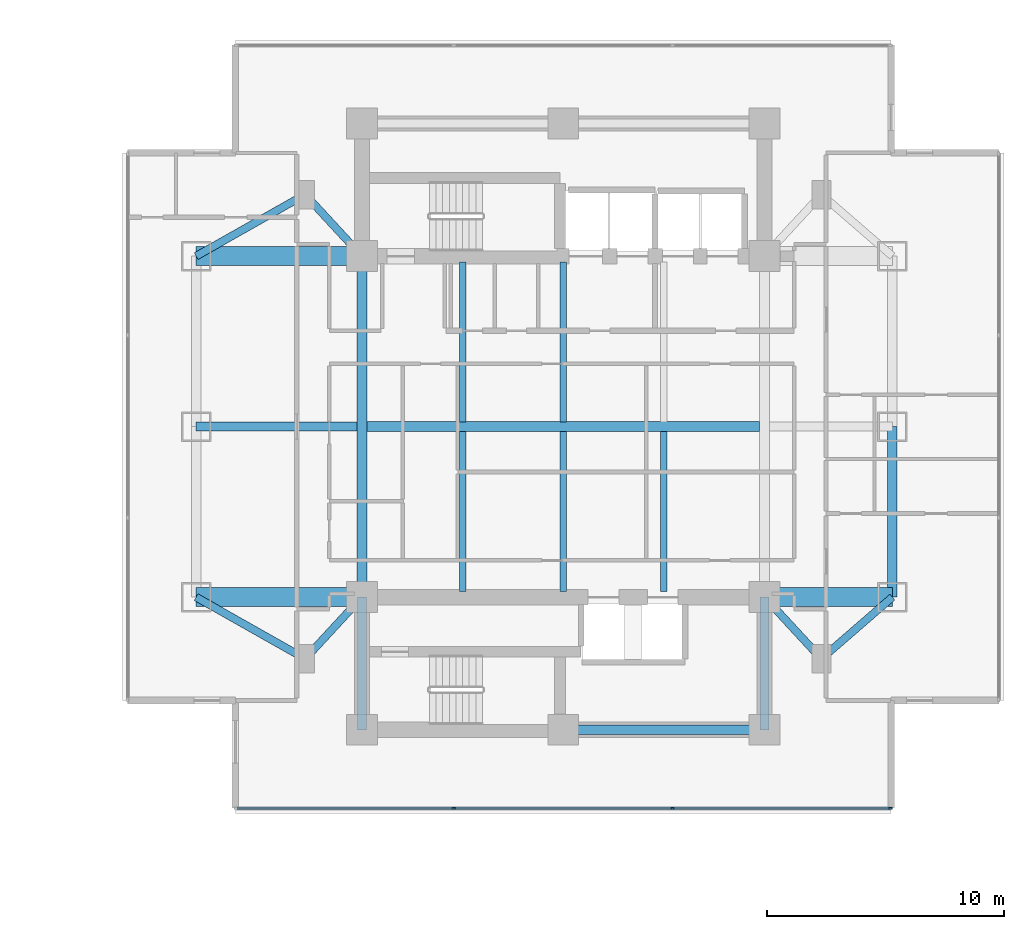
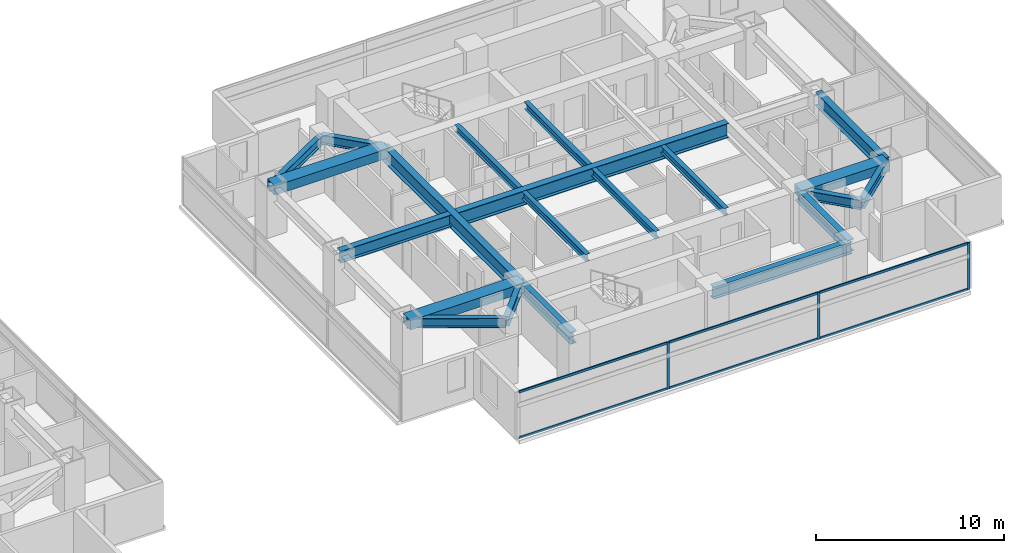
# One storey, part 9 of 24: 21 beams, 9 members, 1 element without a shape of its own.
"""IFC4 building model written with IfcOpenShell, lengths in metres."""

from ifc_helpers import new_model, si_unit, direction, frame, origin, origin_2d, place, context, subcontext, project, spatial, rectangle, i_section, extrude, material, material_profile, profile_set, type_object, element, aggregate, save


model = new_model("IFC4")

# Units and contexts
model_context = context("Model", 3, precision=1e-05, world=origin(), true_north=direction((0.0, 1.0)))
body_context = subcontext(model_context, "Body", "Model", "MODEL_VIEW")
ifc_project = project(units=[si_unit("LENGTHUNIT", "METRE"), si_unit("AREAUNIT", "SQUARE_METRE"), si_unit("VOLUMEUNIT", "CUBIC_METRE"), si_unit("PLANEANGLEUNIT", "RADIAN"), si_unit("MASSUNIT", "GRAM", prefix="KILO")], contexts=[model_context])

# Site, building, storey
site_placement = place(None, origin())
site = spatial("IfcSite", under=ifc_project, at=site_placement, CompositionType="ELEMENT")
building_placement = place(site_placement, origin())
building = spatial("IfcBuilding", under=site, at=building_placement, Name="Mirazonda Arch Towers", CompositionType="ELEMENT")
storey_placement = place(building_placement, frame((0.0, 0.0, 65.300048828125)))
storey = spatial("IfcBuildingStorey", under=building, at=storey_placement, Name="L18", CompositionType="ELEMENT", Elevation=65.300048828125)

# Beams
ifc_material_1 = material(Name="Steel ASTM A992 Grade 50", Category="steel")
ifc_material_profile_1 = material_profile(ifc_material_1, i_section(OverallWidth=0.39990234375, OverallDepth=0.85595703125, WebThickness=0.018310546875, FlangeThickness=0.029296875, at=origin_2d()), Name="W33X201")
ifc_profile_set_1 = profile_set([ifc_material_profile_1], Name="Steel ASTM A992 Grade 50")
beam_type_1 = type_object("IfcBeamType", Name="BM-EXT-W33X201", PredefinedType="USERDEFINED", material=ifc_profile_set_1)
beam_1_placement = place(storey_placement, frame((90.39990234375, 20.800048828125, 2.6318359375), z_axis=(0.0, 1.0, 0.0), x_axis=(-1.0, 0.0, 0.0)))
element("IfcBeam", 1, at=beam_1_placement, inside=storey, type_object=beam_type_1, Name="L18 Floor Beam BM-T2-L18-NS-E-20", ObjectType="GIRDER", PredefinedType="USERDEFINED", context=body_context, shape_type="SweptSolid", body=[
    extrude(i_section(OverallWidth=0.39990234375, OverallDepth=0.85595703125, WebThickness=0.018310546875, FlangeThickness=0.029296875, at=origin_2d()), origin(), (0.0, 0.0, 1.0), 7.199951171875),
])
ifc_material_profile_2 = material_profile(ifc_material_1, i_section(OverallWidth=0.280029296875, OverallDepth=0.462890625, WebThickness=0.0107421875, FlangeThickness=0.017333984375, at=origin_2d()), Name="W18X76")
ifc_profile_set_2 = profile_set([ifc_material_profile_2], Name="Steel ASTM A992 Grade 50")
beam_type_2 = type_object("IfcBeamType", Name="BM-INT-W18X76", PredefinedType="JOIST", material=ifc_profile_set_2)
for number, where, z_axis, x_axis, name in (
    (2, (72.25, 21.0400390625, 2.828369140625), (0.0, 1.0, 0.0), (-1.0, 0.0, 0.0), "L18 Floor Beam BM-T2-L18-J-722-20"),
    (3, (72.25, 28.205078125, 2.828369140625), (0.0, 1.0, 0.0), (-1.0, 0.0, 0.0), "L18 Floor Beam BM-T2-L18-J-722-28"),
    (4, (76.5, 21.0400390625, 2.828369140625), (0.0, 1.0, 0.0), (-1.0, 0.0, 0.0), "L18 Floor Beam BM-T2-L18-J-765-20"),
    (5, (76.5, 28.205078125, 2.828369140625), (0.0, 1.0, 0.0), (-1.0, 0.0, 0.0), "L18 Floor Beam BM-T2-L18-J-765-28"),
    (6, (80.75, 21.0400390625, 2.828369140625), (0.0, 1.0, 0.0), (-1.0, 0.0, 0.0), "L18 Floor Beam BM-T2-L18-J-807-20"),
):
    element("IfcBeam", number, at=place(storey_placement, frame(where, z_axis=z_axis, x_axis=x_axis)), inside=storey, type_object=beam_type_2, Name=name, PredefinedType="JOIST", context=body_context, shape_type="SweptSolid", body=[
        extrude(i_section(OverallWidth=0.280029296875, OverallDepth=0.462890625, WebThickness=0.0107421875, FlangeThickness=0.017333984375, at=origin_2d()), origin(), (0.0, 0.0, 1.0), 6.7548828125),
    ])
ifc_material_profile_3 = material_profile(ifc_material_1, i_section(OverallWidth=0.324951171875, OverallDepth=0.615966796875, WebThickness=0.013916015625, FlangeThickness=0.021484375, at=origin_2d()), Name="W24X117")
ifc_profile_set_3 = profile_set([ifc_material_profile_3], Name="Steel ASTM A992 Grade 50")
beam_type_3 = type_object("IfcBeamType", Name="BM-INT-W24X117", PredefinedType="BEAM", material=ifc_profile_set_3)
beam_2_placement = place(storey_placement, frame((65.60009765625, 18.199951171875, 2.751953125), z_axis=(0.678251444854, 0.734829897019, 0.0), x_axis=(-0.734829897019, 0.678251444854, 0.0)))
element("IfcBeam", 7, at=beam_2_placement, inside=storey, type_object=beam_type_3, Name="L18 Floor Beam BM-T2-L18-PL-SW1", PredefinedType="BEAM", context=body_context, shape_type="SweptSolid", body=[
    extrude(i_section(OverallWidth=0.324951171875, OverallDepth=0.615966796875, WebThickness=0.013916015625, FlangeThickness=0.021484375, at=origin_2d()), origin(), (0.0, 0.0, 1.0), 3.538330078125),
])
beam_3_placement = place(storey_placement, frame((65.60009765625, 18.199951171875, 2.751953125), z_axis=(-0.870559396632, 0.492063346467, 0.0), x_axis=(-0.492063346467, -0.870559396632, 0.0)))
element("IfcBeam", 8, at=beam_3_placement, inside=storey, type_object=beam_type_3, Name="L18 Floor Beam BM-T2-L18-PL-SW2", PredefinedType="BEAM", context=body_context, shape_type="SweptSolid", body=[
    extrude(i_section(OverallWidth=0.324951171875, OverallDepth=0.615966796875, WebThickness=0.013916015625, FlangeThickness=0.021484375, at=origin_2d()), origin(), (0.0, 0.0, 1.0), 5.2841796875),
])
beam_4_placement = place(storey_placement, frame((87.39990234375, 18.199951171875, 2.751953125), z_axis=(-0.678251444854, 0.734829897019, 0.0), x_axis=(-0.734829897019, -0.678251444854, 0.0)))
element("IfcBeam", 9, at=beam_4_placement, inside=storey, type_object=beam_type_3, Name="L18 Floor Beam BM-T2-L18-PL-SE1", PredefinedType="BEAM", context=body_context, shape_type="SweptSolid", body=[
    extrude(i_section(OverallWidth=0.324951171875, OverallDepth=0.615966796875, WebThickness=0.013916015625, FlangeThickness=0.021484375, at=origin_2d()), origin(), (0.0, 0.0, 1.0), 3.538330078125),
])
beam_5_placement = place(storey_placement, frame((87.39990234375, 18.199951171875, 2.751953125), z_axis=(0.755676908098, 0.654944585876, 0.0), x_axis=(-0.654944585876, 0.755676908098, 0.0)))
element("IfcBeam", 10, at=beam_5_placement, inside=storey, type_object=beam_type_3, Name="L18 Floor Beam BM-T2-L18-PL-SE2", PredefinedType="BEAM", context=body_context, shape_type="SweptSolid", body=[
    extrude(i_section(OverallWidth=0.324951171875, OverallDepth=0.615966796875, WebThickness=0.013916015625, FlangeThickness=0.021484375, at=origin_2d()), origin(), (0.0, 0.0, 1.0), 3.969970703125),
])
beam_6_placement = place(storey_placement, frame((65.60009765625, 37.800048828125, 2.751953125), z_axis=(0.678251444854, -0.734829897019, 0.0), x_axis=(0.734829897019, 0.678251444854, 0.0)))
element("IfcBeam", 11, at=beam_6_placement, inside=storey, type_object=beam_type_3, Name="L18 Floor Beam BM-T2-L18-PL-NW1", PredefinedType="BEAM", context=body_context, shape_type="SweptSolid", body=[
    extrude(i_section(OverallWidth=0.324951171875, OverallDepth=0.615966796875, WebThickness=0.013916015625, FlangeThickness=0.021484375, at=origin_2d()), origin(), (0.0, 0.0, 1.0), 3.538330078125),
])
beam_7_placement = place(storey_placement, frame((65.60009765625, 37.800048828125, 2.751953125), z_axis=(-0.870559396632, -0.492063346467, 0.0), x_axis=(0.492063346467, -0.870559396632, 0.0)))
element("IfcBeam", 12, at=beam_7_placement, inside=storey, type_object=beam_type_3, Name="L18 Floor Beam BM-T2-L18-PL-NW2", PredefinedType="BEAM", context=body_context, shape_type="SweptSolid", body=[
    extrude(i_section(OverallWidth=0.324951171875, OverallDepth=0.615966796875, WebThickness=0.013916015625, FlangeThickness=0.021484375, at=origin_2d()), origin(), (0.0, 0.0, 1.0), 5.2841796875),
])
ifc_material_profile_4 = material_profile(ifc_material_1, i_section(OverallWidth=0.381103515625, OverallDepth=0.77294921875, WebThickness=0.0166015625, FlangeThickness=0.027099609375, at=origin_2d()), Name="W30X173")
ifc_profile_set_4 = profile_set([ifc_material_profile_4], Name="Steel ASTM A992 Grade 50")
beam_type_4 = type_object("IfcBeamType", Name="BM-INT-W30X173", PredefinedType="USERDEFINED", material=ifc_profile_set_4)
beam_8_placement = place(storey_placement, frame((76.5, 15.199951171875, 2.67333984375), z_axis=(1.0, 0.0, 0.0), x_axis=(0.0, 1.0, 0.0)))
element("IfcBeam", 13, at=beam_8_placement, inside=storey, type_object=beam_type_4, Name="L18 Floor Beam BM-T2-L18-CS2", ObjectType="GIRDER", PredefinedType="USERDEFINED", context=body_context, shape_type="SweptSolid", body=[
    extrude(i_section(OverallWidth=0.381103515625, OverallDepth=0.77294921875, WebThickness=0.0166015625, FlangeThickness=0.027099609375, at=origin_2d()), origin(), (0.0, 0.0, 1.0), 8.5),
])
for number, where, z_axis, x_axis, name in (
    (14, (68.0, 15.199951171875, 2.67333984375), (0.0, 1.0, 0.0), (-1.0, 0.0, 0.0), "L18 Floor Beam BM-T2-L18-CSW"),
    (15, (85.0, 15.199951171875, 2.67333984375), (0.0, 1.0, 0.0), (-1.0, 0.0, 0.0), "L18 Floor Beam BM-T2-L18-CSE"),
):
    element("IfcBeam", number, at=place(storey_placement, frame(where, z_axis=z_axis, x_axis=x_axis)), inside=storey, type_object=beam_type_4, Name=name, ObjectType="GIRDER", PredefinedType="USERDEFINED", context=body_context, shape_type="SweptSolid", body=[
        extrude(i_section(OverallWidth=0.381103515625, OverallDepth=0.77294921875, WebThickness=0.0166015625, FlangeThickness=0.027099609375, at=origin_2d()), origin(), (0.0, 0.0, 1.0), 5.60009765625),
    ])
beam_9_placement = place(storey_placement, frame((61.0, 28.0, 2.67333984375), z_axis=(1.0, 0.0, 0.0), x_axis=(0.0, 1.0, 0.0)))
element("IfcBeam", 16, at=beam_9_placement, inside=storey, type_object=beam_type_4, Name="L18 Floor Beam BM-T2-L18-GW2", ObjectType="GIRDER", PredefinedType="USERDEFINED", context=body_context, shape_type="SweptSolid", body=[
    extrude(i_section(OverallWidth=0.381103515625, OverallDepth=0.77294921875, WebThickness=0.0166015625, FlangeThickness=0.027099609375, at=origin_2d()), origin(), (0.0, 0.0, 1.0), 6.791015625),
])
ifc_material_profile_5 = material_profile(ifc_material_1, i_section(OverallWidth=0.41796875, OverallDepth=0.927001953125, WebThickness=0.019287109375, FlangeThickness=0.031982421875, at=origin_2d()), Name="W36X231")
ifc_profile_set_5 = profile_set([ifc_material_profile_5], Name="Steel ASTM A992 Grade 50")
beam_type_5 = type_object("IfcBeamType", Name="BM-INT-W36X231", PredefinedType="USERDEFINED", material=ifc_profile_set_5)
beam_10_placement = place(storey_placement, frame((68.208984375, 28.0, 2.596435546875), z_axis=(1.0, 0.0, 0.0), x_axis=(0.0, 1.0, 0.0)))
element("IfcBeam", 17, at=beam_10_placement, inside=storey, type_object=beam_type_5, Name="L18 Floor Beam BM-T2-L18-GC2", ObjectType="GIRDER", PredefinedType="USERDEFINED", context=body_context, shape_type="SweptSolid", body=[
    extrude(i_section(OverallWidth=0.41796875, OverallDepth=0.927001953125, WebThickness=0.019287109375, FlangeThickness=0.031982421875, at=origin_2d()), origin(), (0.0, 0.0, 1.0), 16.58203125),
])
beam_11_placement = place(storey_placement, frame((68.0, 20.800048828125, 2.596435546875), z_axis=(0.0, 1.0, 0.0), x_axis=(-1.0, 0.0, 0.0)))
element("IfcBeam", 18, at=beam_11_placement, inside=storey, type_object=beam_type_5, Name="L18 Floor Beam BM-T2-L18-NS-CW-FULL", ObjectType="GIRDER", PredefinedType="USERDEFINED", context=body_context, shape_type="SweptSolid", body=[
    extrude(i_section(OverallWidth=0.41796875, OverallDepth=0.927001953125, WebThickness=0.019287109375, FlangeThickness=0.031982421875, at=origin_2d()), origin(), (0.0, 0.0, 1.0), 14.39990234375),
])
ifc_material_2 = material(Name="Concrete C60/75", Category="concrete")
ifc_material_profile_6 = material_profile(ifc_material_2, rectangle(XDim=0.800048828125, YDim=0.60009765625, at=origin_2d()), Name="RCCB800x600")
ifc_profile_set_6 = profile_set([ifc_material_profile_6], Name="Concrete C60/75")
beam_type_6 = type_object("IfcBeamType", Name="CB-INT-RCCB800x600", PredefinedType="SPANDREL", material=ifc_profile_set_6)
for number, where, z_axis, x_axis, name in (
    (19, (61.0, 35.199951171875, 2.760009765625), (1.0, 0.0, 0.0), (0.0, 1.0, 0.0), "L18 Floor Beam CBC-T2-L18-NW"),
    (20, (61.0, 20.800048828125, 2.760009765625), (1.0, 0.0, 0.0), (0.0, 1.0, 0.0), "L18 Floor Beam CBC-T2-L18-SW"),
):
    element("IfcBeam", number, at=place(storey_placement, frame(where, z_axis=z_axis, x_axis=x_axis)), inside=storey, type_object=beam_type_6, Name=name, PredefinedType="SPANDREL", context=body_context, shape_type="SweptSolid", body=[
        extrude(rectangle(XDim=0.800048828125, YDim=0.60009765625, at=origin_2d()), origin(), (0.0, 0.0, 1.0), 7.0),
    ])
beam_12_placement = place(storey_placement, frame((85.0, 20.800048828125, 2.760009765625), z_axis=(1.0, 0.0, 0.0), x_axis=(0.0, 1.0, 0.0)))
element("IfcBeam", 21, at=beam_12_placement, inside=storey, type_object=beam_type_6, Name="L18 Floor Beam CBC-T2-L18-SE", PredefinedType="SPANDREL", context=body_context, shape_type="SweptSolid", body=[
    extrude(rectangle(XDim=0.800048828125, YDim=0.60009765625, at=origin_2d()), origin(), (0.0, 0.0, 1.0), 5.39990234375),
])

# Curtain wall, members
ifc_material_3 = material(Name="Anodised Aluminium and Low-E Glass", Category="aluminium")
curtain_wall_type = type_object("IfcCurtainWallType", Name="CW-HTL-UNIT", PredefinedType="NOTDEFINED", material=ifc_material_3)
curtain_wall_placement = place(storey_placement, origin())
curtain_wall = element("IfcCurtainWall", 22, at=curtain_wall_placement, inside=storey, type_object=curtain_wall_type, Name="L18 T2 S Facade CW-L18-T2-S", PredefinedType="NOTDEFINED")
ifc_material_4 = material(Name="Anodised Aluminium Alloy", Category="aluminium")
ifc_material_profile_7 = material_profile(ifc_material_4, rectangle(XDim=0.074951171875, YDim=0.1650390625, at=origin_2d()), Name="ALU-MULL-75x165")
ifc_profile_set_7 = profile_set([ifc_material_profile_7], Name="Anodised Aluminium Alloy")
member_type_1 = type_object("IfcMemberType", Name="MULL-CW-HTL-UNIT", PredefinedType="MULLION", material=ifc_profile_set_7)
member_1_placement = place(storey_placement, frame((90.30859375, 11.890869140625, 0.0), z_axis=(0.0, 0.0, 1.0), x_axis=(0.0, -1.0, 0.0)))
member_1 = element("IfcMember", 23, at=member_1_placement, type_object=member_type_1, Name="CW-112 mullion 1", PredefinedType="MULLION", context=body_context, shape_type="SweptSolid", body=[
    extrude(rectangle(XDim=0.074951171875, YDim=0.1650390625, at=origin_2d()), origin(), (0.0, 0.0, 1.0), 3.0400390625),
])
member_2_placement = place(storey_placement, frame((81.115234375, 11.890869140625, 0.0), z_axis=(0.0, 0.0, 1.0), x_axis=(0.0, -1.0, 0.0)))
member_2 = element("IfcMember", 24, at=member_2_placement, type_object=member_type_1, Name="CW-112 mullion 2", PredefinedType="MULLION", context=body_context, shape_type="SweptSolid", body=[
    extrude(rectangle(XDim=0.074951171875, YDim=0.1650390625, at=origin_2d()), origin(), (0.0, 0.0, 1.0), 3.0400390625),
])
member_3_placement = place(storey_placement, frame((71.884765625, 11.890869140625, 0.0), z_axis=(0.0, 0.0, 1.0), x_axis=(0.0, -1.0, 0.0)))
member_3 = element("IfcMember", 25, at=member_3_placement, type_object=member_type_1, Name="CW-112 mullion 3", PredefinedType="MULLION", context=body_context, shape_type="SweptSolid", body=[
    extrude(rectangle(XDim=0.074951171875, YDim=0.1650390625, at=origin_2d()), origin(), (0.0, 0.0, 1.0), 3.0400390625),
])
ifc_material_profile_8 = material_profile(ifc_material_4, rectangle(XDim=0.074951171875, YDim=0.14501953125, at=origin_2d()), Name="ALU-TRAN-75x145")
ifc_profile_set_8 = profile_set([ifc_material_profile_8], Name="Anodised Aluminium Alloy")
member_type_2 = type_object("IfcMemberType", Name="TRAN-CW-HTL-UNIT", PredefinedType="USERDEFINED", material=ifc_profile_set_8)
member_4_placement = place(storey_placement, frame((90.27099609375, 11.890869140625, 0.037353515625), z_axis=(-1.0, 0.0, 0.0), x_axis=(0.0, -1.0, 0.0)))
member_4 = element("IfcMember", 26, at=member_4_placement, type_object=member_type_2, Name="CW-112 transom 1.1", ObjectType="TRANSOM", PredefinedType="USERDEFINED", context=body_context, shape_type="SweptSolid", body=[
    extrude(rectangle(XDim=0.074951171875, YDim=0.14501953125, at=origin_2d()), origin(), (0.0, 0.0, 1.0), 9.1181640625),
])
member_5_placement = place(storey_placement, frame((90.27099609375, 11.890869140625, 3.00244140625), z_axis=(-1.0, 0.0, 0.0), x_axis=(0.0, -1.0, 0.0)))
member_5 = element("IfcMember", 27, at=member_5_placement, type_object=member_type_2, Name="CW-112 transom 1.2", ObjectType="TRANSOM", PredefinedType="USERDEFINED", context=body_context, shape_type="SweptSolid", body=[
    extrude(rectangle(XDim=0.074951171875, YDim=0.14501953125, at=origin_2d()), origin(), (0.0, 0.0, 1.0), 9.1181640625),
])
member_6_placement = place(storey_placement, frame((81.077880859375, 11.890869140625, 0.037353515625), z_axis=(-1.0, 0.0, 0.0), x_axis=(0.0, -1.0, 0.0)))
member_6 = element("IfcMember", 28, at=member_6_placement, type_object=member_type_2, Name="CW-112 transom 2.1", ObjectType="TRANSOM", PredefinedType="USERDEFINED", context=body_context, shape_type="SweptSolid", body=[
    extrude(rectangle(XDim=0.074951171875, YDim=0.14501953125, at=origin_2d()), origin(), (0.0, 0.0, 1.0), 9.15576171875),
])
member_7_placement = place(storey_placement, frame((81.077880859375, 11.890869140625, 3.00244140625), z_axis=(-1.0, 0.0, 0.0), x_axis=(0.0, -1.0, 0.0)))
member_7 = element("IfcMember", 29, at=member_7_placement, type_object=member_type_2, Name="CW-112 transom 2.2", ObjectType="TRANSOM", PredefinedType="USERDEFINED", context=body_context, shape_type="SweptSolid", body=[
    extrude(rectangle(XDim=0.074951171875, YDim=0.14501953125, at=origin_2d()), origin(), (0.0, 0.0, 1.0), 9.15576171875),
])
member_8_placement = place(storey_placement, frame((71.84716796875, 11.890869140625, 0.037353515625), z_axis=(-1.0, 0.0, 0.0), x_axis=(0.0, -1.0, 0.0)))
member_8 = element("IfcMember", 30, at=member_8_placement, type_object=member_type_2, Name="CW-112 transom 3.1", ObjectType="TRANSOM", PredefinedType="USERDEFINED", context=body_context, shape_type="SweptSolid", body=[
    extrude(rectangle(XDim=0.074951171875, YDim=0.14501953125, at=origin_2d()), origin(), (0.0, 0.0, 1.0), 9.1181640625),
])
member_9_placement = place(storey_placement, frame((71.84716796875, 11.890869140625, 3.00244140625), z_axis=(-1.0, 0.0, 0.0), x_axis=(0.0, -1.0, 0.0)))
member_9 = element("IfcMember", 31, at=member_9_placement, type_object=member_type_2, Name="CW-112 transom 3.2", ObjectType="TRANSOM", PredefinedType="USERDEFINED", context=body_context, shape_type="SweptSolid", body=[
    extrude(rectangle(XDim=0.074951171875, YDim=0.14501953125, at=origin_2d()), origin(), (0.0, 0.0, 1.0), 9.1181640625),
])
aggregate(curtain_wall, [member_1, member_2, member_3, member_4, member_5, member_6, member_7, member_8, member_9])

save(model, "model.ifc")
